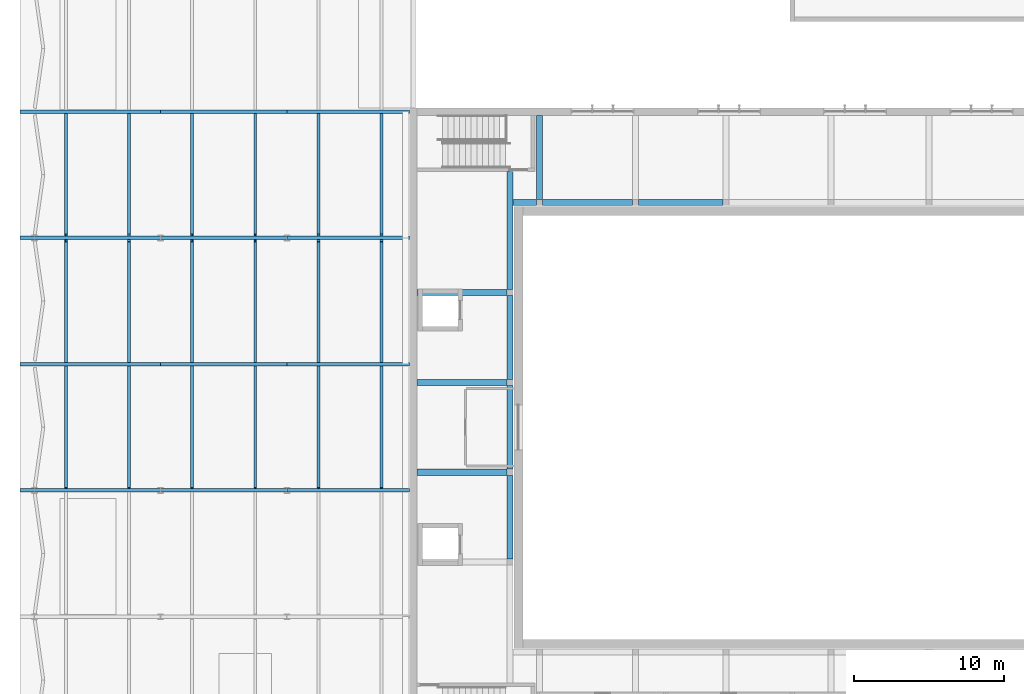
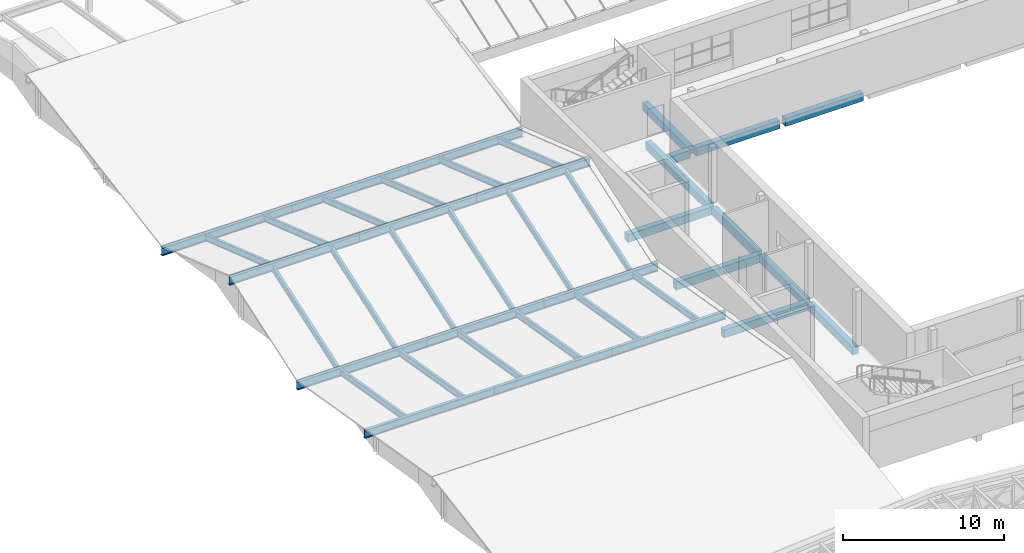
# One storey, part 24 of 60: 41 beams.
"""IFC4 building model written with IfcOpenShell, lengths in metres."""

import ifcopenshell
import ifcopenshell.guid

model = None  # the IFC model being written
_history = None  # IfcOwnerHistory: only IFC2X3 demands one
_inside = {}  # id of a spatial element -> (the spatial element, [elements in it])
_under = {}  # id of a project, library or spatial element -> (it, [spatial elements below it])
_declared = {}  # id of a project -> (the project, [libraries it declares])
_typed = {}  # id of a type object -> (the type object, [elements of that type])
_made_of = {}  # id of a material, layer set ... -> (it, [elements and type objects made of it])


def new_model(schema):
    """Start an empty IFC model of exactly this schema.

    Asked for "IFC4X3", IfcOpenShell would pick the latest addendum, in which some entities
    have other attributes; the version numbers below select the first issue.
    IFC2X3 requires an IfcOwnerHistory on every rooted entity: one is made here for all.
    """
    global model, _history
    if schema == "IFC4X3":
        model = ifcopenshell.file(schema_version=(4, 3, 0, 0))
    else:
        model = ifcopenshell.file(schema=schema)
    _inside.clear()
    _under.clear()
    _declared.clear()
    _typed.clear()
    _made_of.clear()
    _history = None
    if model.schema == "IFC2X3":
        org = make("IfcOrganization", Name="unknown")
        user = make(
            "IfcPersonAndOrganization",
            ThePerson=make("IfcPerson", FamilyName="unknown"),
            TheOrganization=org,
        )
        app = make(
            "IfcApplication",
            ApplicationDeveloper=org,
            Version="unknown",
            ApplicationFullName="unknown",
            ApplicationIdentifier="unknown",
        )
        _history = make(
            "IfcOwnerHistory",
            OwningUser=user,
            OwningApplication=app,
            ChangeAction="ADDED",
            CreationDate=0,
        )
    return model


def make(cls, **values):
    """One entity of the class cls with the attributes given. An attribute that is None is left unset."""
    return model.create_entity(
        cls, **{name: value for name, value in values.items() if value is not None}
    )


def rooted(cls, **values):
    """An entity with a GlobalId (a new one), such as an element, a storey or a relation."""
    return make(cls, GlobalId=ifcopenshell.guid.new(), OwnerHistory=_history, **values)


def si_unit(unit_type, name, prefix=None):
    """IfcSIUnit, for example si_unit("LENGTHUNIT", "METRE", prefix="MILLI")."""
    return make("IfcSIUnit", UnitType=unit_type, Prefix=prefix, Name=name)


def assignment(units):
    """IfcUnitAssignment: the units of a project."""
    return None if units is None else make("IfcUnitAssignment", Units=units)


def point(xyz):
    """IfcCartesianPoint."""
    return None if xyz is None else make("IfcCartesianPoint", Coordinates=xyz)


def direction(xyz):
    """IfcDirection."""
    return None if xyz is None else make("IfcDirection", DirectionRatios=xyz)


def frame(location, z_axis=None, x_axis=None):
    """IfcAxis2Placement3D, a coordinate frame: its origin and axes. An axis left out is left unset."""
    return make(
        "IfcAxis2Placement3D",
        Location=point(location),
        Axis=direction(z_axis),
        RefDirection=direction(x_axis),
    )


def frame_2d(location, x_axis=None):
    """IfcAxis2Placement2D, a coordinate frame in the plane: its origin and x axis."""
    return make(
        "IfcAxis2Placement2D", Location=point(location), RefDirection=direction(x_axis)
    )


def origin():
    """The frame at (0, 0, 0) with its axes left unset."""
    return frame((0.0, 0.0, 0.0))


def origin_2d():
    """The frame at (0, 0) in the plane with its x axis left unset."""
    return frame_2d((0.0, 0.0))


def place(relative_to, where):
    """IfcLocalPlacement: puts the frame where relative to a parent placement (None: the world)."""
    return make(
        "IfcLocalPlacement", PlacementRelTo=relative_to, RelativePlacement=where
    )


def context(
    kind, dimensions, precision=None, world=None, true_north=None, identifier=None
):
    """IfcGeometricRepresentationContext, for example the 3D "Model" context."""
    return make(
        "IfcGeometricRepresentationContext",
        ContextIdentifier=identifier,
        ContextType=kind,
        CoordinateSpaceDimension=dimensions,
        Precision=precision,
        WorldCoordinateSystem=world,
        TrueNorth=true_north,
    )


def subcontext(parent, identifier, kind, view, scale=None):
    """IfcGeometricRepresentationSubContext, for example "Body" below "Model"."""
    return make(
        "IfcGeometricRepresentationSubContext",
        ContextIdentifier=identifier,
        ContextType=kind,
        ParentContext=parent,
        TargetScale=scale,
        TargetView=view,
    )


def project(units=None, contexts=None):
    """IfcProject with its units and contexts."""
    return rooted(
        "IfcProject",
        Name="project",
        RepresentationContexts=contexts,
        UnitsInContext=assignment(units),
    )


def spatial(cls, under=None, at=None, **own):
    """A site, building, storey or space (cls), placed at a placement, below another one or the project."""
    s = rooted(cls, ObjectPlacement=at, **own)
    if under is not None:
        _under.setdefault(under.id(), (under, []))[1].append(s)
    return s


def profile(cls, at=None, kind="AREA", **sizes):
    """A parametric profile (cls). Its sizes go by their IFC names, for example OverallWidth=200.0."""
    return make(cls, ProfileType=kind, Position=at, **sizes)


def rectangle(**sizes):
    """IfcRectangleProfileDef."""
    return profile("IfcRectangleProfileDef", **sizes)


def i_section(**sizes):
    """IfcIShapeProfileDef."""
    return profile("IfcIShapeProfileDef", **sizes)


def extrude(swept, where, along, depth):
    """IfcExtrudedAreaSolid: the profile swept, set in the frame where, extruded along a direction by depth."""
    return make(
        "IfcExtrudedAreaSolid",
        SweptArea=swept,
        Position=where,
        ExtrudedDirection=direction(along),
        Depth=depth,
    )


def shape(context_of_items, identifier, shape_type, items):
    """IfcShapeRepresentation: the items that make up one representation, for example the "Body"."""
    return make(
        "IfcShapeRepresentation",
        ContextOfItems=context_of_items,
        RepresentationIdentifier=identifier,
        RepresentationType=shape_type,
        Items=items,
    )


def material(Name=None, Category=None):
    """IfcMaterial."""
    return make("IfcMaterial", Name=Name, Category=Category)


def material_profile(
    of_material, cross_section, Name=None, Category=None, Priority=None
):
    """IfcMaterialProfile: a cross section and its material."""
    return make(
        "IfcMaterialProfile",
        Name=Name,
        Material=of_material,
        Profile=cross_section,
        Priority=Priority,
        Category=Category,
    )


def profile_set(profiles, Name=None, composite=None):
    """IfcMaterialProfileSet."""
    return make(
        "IfcMaterialProfileSet",
        Name=Name,
        MaterialProfiles=profiles,
        CompositeProfile=composite,
    )


def made_of(thing, what):
    """Note that an element or type object is made of a material, layer set ...; save() writes the relation."""
    if what is not None:
        _made_of.setdefault(what.id(), (what, []))[1].append(thing)
    return thing


def type_object(cls, material=None, **own):
    """A type object (cls), such as IfcWallType, which elements share."""
    return made_of(rooted(cls, **own), material)


def element(
    cls,
    number,
    at=None,
    inside=None,
    cuts=None,
    type_object=None,
    material=None,
    context=None,
    identifier="Body",
    shape_type=None,
    held_by="IfcProductDefinitionShape",
    body=None,
    shapes=None,
    **own,
):
    """One element of the class cls, such as IfcWall. Its Tag is "e" and its number.

    at: its placement. inside: the storey or other place that contains it. cuts: it is an
    opening in that element (IfcRelVoidsElement). A single representation is given by context,
    identifier, shape_type and body (its items); several are given by shapes. held_by: the class
    of the entity that holds the representations. save() writes the other relations.
    """
    e = rooted(cls, Tag="e%d" % number, ObjectPlacement=at, **own)
    if body is not None:
        shapes = [shape(context, identifier, shape_type, body)]
    if shapes is not None:
        e.Representation = make(held_by, Representations=shapes)
    if inside is not None:
        _inside.setdefault(inside.id(), (inside, []))[1].append(e)
    if cuts is not None:
        rooted(
            "IfcRelVoidsElement", RelatingBuildingElement=cuts, RelatedOpeningElement=e
        )
    if type_object is not None:
        _typed.setdefault(type_object.id(), (type_object, []))[1].append(e)
    return made_of(e, material)


def aggregate(whole, parts):
    """IfcRelAggregates: a whole, such as a stair, and the parts it consists of."""
    return rooted("IfcRelAggregates", RelatingObject=whole, RelatedObjects=parts)


def save(model, path):
    """Write the relations noted so far, then the file.

    IfcRelAggregates (storeys below a building ...), IfcRelContainedInSpatialStructure (elements
    in a storey), IfcRelDefinesByType, IfcRelAssociatesMaterial and IfcRelDeclares: one each for
    every whole, place, type object, material and project.
    """
    for whole, parts in _under.values():
        aggregate(whole, parts)
    for where, things in _inside.values():
        rooted(
            "IfcRelContainedInSpatialStructure",
            RelatedElements=things,
            RelatingStructure=where,
        )
    for kind, things in _typed.values():
        rooted("IfcRelDefinesByType", RelatedObjects=things, RelatingType=kind)
    for what, things in _made_of.values():
        rooted("IfcRelAssociatesMaterial", RelatedObjects=things, RelatingMaterial=what)
    for by, libraries in _declared.values():
        rooted("IfcRelDeclares", RelatingContext=by, RelatedDefinitions=libraries)
    model.write(path)


model = new_model("IFC4")

# Units and contexts
model_context = context("Model", 3, precision=1e-05, world=origin(), true_north=direction((0.0, 1.0)))
body_context = subcontext(model_context, "Body", "Model", "MODEL_VIEW")
ifc_project = project(units=[si_unit("LENGTHUNIT", "METRE"), si_unit("AREAUNIT", "SQUARE_METRE"), si_unit("VOLUMEUNIT", "CUBIC_METRE"), si_unit("PLANEANGLEUNIT", "RADIAN"), si_unit("MASSUNIT", "GRAM", prefix="KILO")], contexts=[model_context])

# Site, building, storey
site_placement = place(None, origin())
site = spatial("IfcSite", under=ifc_project, at=site_placement, CompositionType="ELEMENT")
building_placement = place(site_placement, origin())
building = spatial("IfcBuilding", under=site, at=building_placement, Name="Ljudholm Concert House", CompositionType="ELEMENT")
storey_placement = place(building_placement, frame((0.0, 0.0, 15.0)))
storey = spatial("IfcBuildingStorey", under=building, at=storey_placement, Name="L03", CompositionType="ELEMENT", Elevation=15.0)

# Beams
ifc_material_1 = material(Name="Concrete 6,500 psi", Category="concrete")
ifc_material_profile_1 = material_profile(ifc_material_1, rectangle(XDim=0.39990234375, YDim=0.60009765625, at=origin_2d()), Name="RC BEAM 400x600")
ifc_profile_set_1 = profile_set([ifc_material_profile_1], Name="Concrete 6,500 psi")
beam_type_1 = type_object("IfcBeamType", Name="RC BEAM 400x600", PredefinedType="BEAM", material=ifc_profile_set_1)
beam_1_placement = place(storey_placement, frame((37.800048828125, 90.35009765625, -0.550048828125), z_axis=(1.0, 0.0, 0.0), x_axis=(0.0, 1.0, 0.0)))
element("IfcBeam", 1, at=beam_1_placement, inside=storey, type_object=beam_type_1, Name="Ring beam", PredefinedType="BEAM", context=body_context, shape_type="SweptSolid", body=[
    extrude(rectangle(XDim=0.39990234375, YDim=0.60009765625, at=origin_2d()), origin(), (0.0, 0.0, 1.0), 6.0),
])
beam_2_placement = place(storey_placement, frame((44.199951171875, 90.35009765625, -0.550048828125), z_axis=(1.0, 0.0, 0.0), x_axis=(0.0, 1.0, 0.0)))
element("IfcBeam", 2, at=beam_2_placement, inside=storey, type_object=beam_type_1, Name="Ring beam", PredefinedType="BEAM", context=body_context, shape_type="SweptSolid", body=[
    extrude(rectangle(XDim=0.39990234375, YDim=0.60009765625, at=origin_2d()), origin(), (0.0, 0.0, 1.0), 5.60009765625),
])
beam_3_placement = place(storey_placement, frame((35.64990234375, 66.6298828125, -0.550048828125), z_axis=(0.0, 1.0, 0.0), x_axis=(-1.0, 0.0, 0.0)))
element("IfcBeam", 3, at=beam_3_placement, inside=storey, type_object=beam_type_1, Name="Ring beam", PredefinedType="BEAM", context=body_context, shape_type="SweptSolid", body=[
    extrude(rectangle(XDim=0.39990234375, YDim=0.60009765625, at=origin_2d()), origin(), (0.0, 0.0, 1.0), 5.580078125),
])
for number, where, z_axis, x_axis, name in (
    (4, (35.64990234375, 72.610107421875, -0.550048828125), (0.0, 1.0, 0.0), (-1.0, 0.0, 0.0), "Ring beam"),
    (5, (35.64990234375, 78.590087890625, -0.550048828125), (0.0, 1.0, 0.0), (-1.0, 0.0, 0.0), "Ring beam"),
):
    element("IfcBeam", number, at=place(storey_placement, frame(where, z_axis=z_axis, x_axis=x_axis)), inside=storey, type_object=beam_type_1, Name=name, PredefinedType="BEAM", context=body_context, shape_type="SweptSolid", body=[
        extrude(rectangle(XDim=0.39990234375, YDim=0.60009765625, at=origin_2d()), origin(), (0.0, 0.0, 1.0), 5.579833984375),
    ])
beam_4_placement = place(storey_placement, frame((37.60009765625, 90.550048828125, -0.550048828125), z_axis=(0.0, 1.0, 0.0), x_axis=(-1.0, 0.0, 0.0)))
element("IfcBeam", 6, at=beam_4_placement, inside=storey, type_object=beam_type_1, Name="Ring cross beam", PredefinedType="BEAM", context=body_context, shape_type="SweptSolid", body=[
    extrude(rectangle(XDim=0.39990234375, YDim=0.60009765625, at=origin_2d()), origin(), (0.0, 0.0, 1.0), 5.599853515625),
])
for number, where, z_axis, x_axis, name in (
    (7, (35.449951171875, 72.409912109375, -0.550048828125), (-1.0, 0.0, 0.0), (0.0, -1.0, 0.0), "Ring cross beam"),
    (8, (35.449951171875, 78.389892578125, -0.550048828125), (-1.0, 0.0, 0.0), (0.0, -1.0, 0.0), "Ring cross beam"),
    (9, (35.449951171875, 84.3701171875, -0.550048828125), (-1.0, 0.0, 0.0), (0.0, -1.0, 0.0), "Ring cross beam"),
):
    element("IfcBeam", number, at=place(storey_placement, frame(where, z_axis=z_axis, x_axis=x_axis)), inside=storey, type_object=beam_type_1, Name=name, PredefinedType="BEAM", context=body_context, shape_type="SweptSolid", body=[
        extrude(rectangle(XDim=0.39990234375, YDim=0.60009765625, at=origin_2d()), origin(), (0.0, 0.0, 1.0), 6.0),
    ])
beam_5_placement = place(storey_placement, frame((35.85009765625, 90.35009765625, -0.550048828125), z_axis=(1.0, 0.0, 0.0), x_axis=(0.0, 1.0, 0.0)))
element("IfcBeam", 10, at=beam_5_placement, inside=storey, type_object=beam_type_1, Name="Ring beam", PredefinedType="BEAM", context=body_context, shape_type="SweptSolid", body=[
    extrude(rectangle(XDim=0.39990234375, YDim=0.60009765625, at=origin_2d()), origin(), (0.0, 0.0, 1.0), 1.5498046875),
])
beam_6_placement = place(storey_placement, frame((35.64990234375, 84.570068359375, -0.550048828125), z_axis=(0.0, 1.0, 0.0), x_axis=(-1.0, 0.0, 0.0)))
element("IfcBeam", 11, at=beam_6_placement, inside=storey, type_object=beam_type_1, Name="Ring beam", PredefinedType="BEAM", context=body_context, shape_type="SweptSolid", body=[
    extrude(rectangle(XDim=0.39990234375, YDim=0.60009765625, at=origin_2d()), origin(), (0.0, 0.0, 1.0), 7.829833984375),
])
ifc_material_2 = material(Name="Steel ASTM A992", Category="steel")
ifc_material_profile_2 = material_profile(ifc_material_2, i_section(OverallWidth=0.1904296875, OverallDepth=0.457275390625, WebThickness=0.009033203125, FlangeThickness=0.014404296875, FilletRadius=0.01025390625, at=origin_2d()), Name="W18X50")
ifc_profile_set_2 = profile_set([ifc_material_profile_2], Name="Steel ASTM A992")
beam_type_2 = type_object("IfcBeamType", Name="STEEL BEAM W18X50", PredefinedType="BEAM", material=ifc_profile_set_2)
for number, where, z_axis, x_axis, name in (
    (12, (6.10009765625, 71.352783203125, 1.806640625), (0.0, 0.985739432849, -0.168278847532), (-1.0, 0.0, 0.0), "Roof rafter"),
    (13, (10.300048828125, 71.352783203125, 1.806640625), (0.0, 0.985739432849, -0.168278847532), (-1.0, 0.0, 0.0), "Roof rafter"),
    (14, (14.5, 71.352783203125, 1.806640625), (0.0, 0.985739432849, -0.168278847532), (-1.0, 0.0, 0.0), "Roof rafter"),
    (15, (18.699951171875, 71.352783203125, 1.806640625), (0.0, 0.985739432849, -0.168278847532), (-1.0, 0.0, 0.0), "Roof rafter"),
    (16, (22.89990234375, 71.352783203125, 1.806640625), (0.0, 0.985739432849, -0.168278847532), (-1.0, 0.0, 0.0), "Roof rafter"),
    (17, (27.10009765625, 71.352783203125, 1.806640625), (0.0, 0.985739432849, -0.168278847532), (-1.0, 0.0, 0.0), "Roof rafter"),
):
    element("IfcBeam", number, at=place(storey_placement, frame(where, z_axis=z_axis, x_axis=x_axis)), inside=storey, type_object=beam_type_2, Name=name, PredefinedType="BEAM", context=body_context, shape_type="SweptSolid", body=[
        extrude(i_section(OverallWidth=0.1904296875, OverallDepth=0.457275390625, WebThickness=0.009033203125, FlangeThickness=0.014404296875, FilletRadius=0.01025390625, at=origin_2d()), origin(), (0.0, 0.0, 1.0), 8.211669921875),
    ])
for number, where, z_axis, x_axis, name in (
    (18, (6.10009765625, 79.7880859375, 0.448974609375), (0.0, 0.946360379613, 0.323113032698), (-1.0, 0.0, 0.0), "Roof rafter"),
    (19, (10.300048828125, 79.7880859375, 0.448974609375), (0.0, 0.946360379613, 0.323113032698), (-1.0, 0.0, 0.0), "Roof rafter"),
    (20, (14.5, 79.7880859375, 0.448974609375), (0.0, 0.946360379613, 0.323113032698), (-1.0, 0.0, 0.0), "Roof rafter"),
    (21, (18.699951171875, 79.7880859375, 0.448974609375), (0.0, 0.946360379613, 0.323113032698), (-1.0, 0.0, 0.0), "Roof rafter"),
    (22, (22.89990234375, 79.7880859375, 0.448974609375), (0.0, 0.946360379613, 0.323113032698), (-1.0, 0.0, 0.0), "Roof rafter"),
    (23, (27.10009765625, 79.7880859375, 0.448974609375), (0.0, 0.946360379613, 0.323113032698), (-1.0, 0.0, 0.0), "Roof rafter"),
    (24, (6.10009765625, 88.188232421875, 3.1884765625), (0.0, 0.946360379613, -0.323113032698), (-1.0, 0.0, 0.0), "Roof rafter"),
    (25, (10.300048828125, 88.188232421875, 3.1884765625), (0.0, 0.946360379613, -0.323113032698), (-1.0, 0.0, 0.0), "Roof rafter"),
    (26, (14.5, 88.188232421875, 3.1884765625), (0.0, 0.946360379613, -0.323113032698), (-1.0, 0.0, 0.0), "Roof rafter"),
    (27, (18.699951171875, 88.188232421875, 3.1884765625), (0.0, 0.946360379613, -0.323113032698), (-1.0, 0.0, 0.0), "Roof rafter"),
    (28, (22.89990234375, 88.188232421875, 3.1884765625), (0.0, 0.946360379613, -0.323113032698), (-1.0, 0.0, 0.0), "Roof rafter"),
    (29, (27.10009765625, 88.188232421875, 3.1884765625), (0.0, 0.946360379613, -0.323113032698), (-1.0, 0.0, 0.0), "Roof rafter"),
):
    element("IfcBeam", number, at=place(storey_placement, frame(where, z_axis=z_axis, x_axis=x_axis)), inside=storey, type_object=beam_type_2, Name=name, PredefinedType="BEAM", context=body_context, shape_type="SweptSolid", body=[
        extrude(i_section(OverallWidth=0.1904296875, OverallDepth=0.457275390625, WebThickness=0.009033203125, FlangeThickness=0.014404296875, FilletRadius=0.01025390625, at=origin_2d()), origin(), (0.0, 0.0, 1.0), 8.478515625),
    ])
ifc_material_3 = material(Name="Steel ASTM A992", Category="steel")
ifc_material_profile_3 = material_profile(ifc_material_3, i_section(OverallWidth=0.22900390625, OverallDepth=0.612060546875, WebThickness=0.011962890625, FlangeThickness=0.01953125, FilletRadius=0.0126953125, at=origin_2d()), Name="W24X84")
ifc_profile_set_3 = profile_set([ifc_material_profile_3], Name="Steel ASTM A992")
beam_type_3 = type_object("IfcBeamType", Name="STEEL BEAM W24X84", PredefinedType="BEAM", material=ifc_profile_set_3)
beam_7_placement = place(storey_placement, frame((3.050048828125, 71.199951171875, 1.758544921875), z_axis=(1.0, 0.0, 0.0), x_axis=(0.0, 1.0, 0.0)))
element("IfcBeam", 30, at=beam_7_placement, inside=storey, type_object=beam_type_3, Name="Roof girder", PredefinedType="BEAM", context=body_context, shape_type="SweptSolid", body=[
    extrude(i_section(OverallWidth=0.22900390625, OverallDepth=0.612060546875, WebThickness=0.011962890625, FlangeThickness=0.01953125, FilletRadius=0.0126953125, at=origin_2d()), origin(), (0.0, 0.0, 1.0), 9.349853515625),
])
beam_8_placement = place(storey_placement, frame((12.39990234375, 71.199951171875, 1.758544921875), z_axis=(1.0, 0.0, 0.0), x_axis=(0.0, 1.0, 0.0)))
element("IfcBeam", 31, at=beam_8_placement, inside=storey, type_object=beam_type_3, Name="Roof girder", PredefinedType="BEAM", context=body_context, shape_type="SweptSolid", body=[
    extrude(i_section(OverallWidth=0.22900390625, OverallDepth=0.612060546875, WebThickness=0.011962890625, FlangeThickness=0.01953125, FilletRadius=0.0126953125, at=origin_2d()), origin(), (0.0, 0.0, 1.0), 8.400146484375),
])
beam_9_placement = place(storey_placement, frame((20.800048828125, 71.199951171875, 1.758544921875), z_axis=(1.0, 0.0, 0.0), x_axis=(0.0, 1.0, 0.0)))
element("IfcBeam", 32, at=beam_9_placement, inside=storey, type_object=beam_type_3, Name="Roof girder", PredefinedType="BEAM", context=body_context, shape_type="SweptSolid", body=[
    extrude(i_section(OverallWidth=0.22900390625, OverallDepth=0.612060546875, WebThickness=0.011962890625, FlangeThickness=0.01953125, FilletRadius=0.0126953125, at=origin_2d()), origin(), (0.0, 0.0, 1.0), 8.14990234375),
])
beam_10_placement = place(storey_placement, frame((3.050048828125, 79.60009765625, 0.3203125), z_axis=(1.0, 0.0, 0.0), x_axis=(0.0, 1.0, 0.0)))
element("IfcBeam", 33, at=beam_10_placement, inside=storey, type_object=beam_type_3, Name="Roof girder", PredefinedType="BEAM", context=body_context, shape_type="SweptSolid", body=[
    extrude(i_section(OverallWidth=0.22900390625, OverallDepth=0.612060546875, WebThickness=0.011962890625, FlangeThickness=0.01953125, FilletRadius=0.0126953125, at=origin_2d()), origin(), (0.0, 0.0, 1.0), 9.349853515625),
])
beam_11_placement = place(storey_placement, frame((12.39990234375, 79.60009765625, 0.3203125), z_axis=(1.0, 0.0, 0.0), x_axis=(0.0, 1.0, 0.0)))
element("IfcBeam", 34, at=beam_11_placement, inside=storey, type_object=beam_type_3, Name="Roof girder", PredefinedType="BEAM", context=body_context, shape_type="SweptSolid", body=[
    extrude(i_section(OverallWidth=0.22900390625, OverallDepth=0.612060546875, WebThickness=0.011962890625, FlangeThickness=0.01953125, FilletRadius=0.0126953125, at=origin_2d()), origin(), (0.0, 0.0, 1.0), 8.400146484375),
])
beam_12_placement = place(storey_placement, frame((20.800048828125, 79.60009765625, 0.3203125), z_axis=(1.0, 0.0, 0.0), x_axis=(0.0, 1.0, 0.0)))
element("IfcBeam", 35, at=beam_12_placement, inside=storey, type_object=beam_type_3, Name="Roof girder", PredefinedType="BEAM", context=body_context, shape_type="SweptSolid", body=[
    extrude(i_section(OverallWidth=0.22900390625, OverallDepth=0.612060546875, WebThickness=0.011962890625, FlangeThickness=0.01953125, FilletRadius=0.0126953125, at=origin_2d()), origin(), (0.0, 0.0, 1.0), 8.14990234375),
])
beam_13_placement = place(storey_placement, frame((3.050048828125, 88.0, 3.188232421875), z_axis=(1.0, 0.0, 0.0), x_axis=(0.0, 1.0, 0.0)))
element("IfcBeam", 36, at=beam_13_placement, inside=storey, type_object=beam_type_3, Name="Roof girder", PredefinedType="BEAM", context=body_context, shape_type="SweptSolid", body=[
    extrude(i_section(OverallWidth=0.22900390625, OverallDepth=0.612060546875, WebThickness=0.011962890625, FlangeThickness=0.01953125, FilletRadius=0.0126953125, at=origin_2d()), origin(), (0.0, 0.0, 1.0), 9.349853515625),
])
beam_14_placement = place(storey_placement, frame((12.39990234375, 88.0, 3.188232421875), z_axis=(1.0, 0.0, 0.0), x_axis=(0.0, 1.0, 0.0)))
element("IfcBeam", 37, at=beam_14_placement, inside=storey, type_object=beam_type_3, Name="Roof girder", PredefinedType="BEAM", context=body_context, shape_type="SweptSolid", body=[
    extrude(i_section(OverallWidth=0.22900390625, OverallDepth=0.612060546875, WebThickness=0.011962890625, FlangeThickness=0.01953125, FilletRadius=0.0126953125, at=origin_2d()), origin(), (0.0, 0.0, 1.0), 8.400146484375),
])
beam_15_placement = place(storey_placement, frame((20.800048828125, 88.0, 3.188232421875), z_axis=(1.0, 0.0, 0.0), x_axis=(0.0, 1.0, 0.0)))
element("IfcBeam", 38, at=beam_15_placement, inside=storey, type_object=beam_type_3, Name="Roof girder", PredefinedType="BEAM", context=body_context, shape_type="SweptSolid", body=[
    extrude(i_section(OverallWidth=0.22900390625, OverallDepth=0.612060546875, WebThickness=0.011962890625, FlangeThickness=0.01953125, FilletRadius=0.0126953125, at=origin_2d()), origin(), (0.0, 0.0, 1.0), 8.14990234375),
])
beam_16_placement = place(storey_placement, frame((3.050048828125, 96.39990234375, 0.3203125), z_axis=(1.0, 0.0, 0.0), x_axis=(0.0, 1.0, 0.0)))
element("IfcBeam", 39, at=beam_16_placement, inside=storey, type_object=beam_type_3, Name="Roof girder", PredefinedType="BEAM", context=body_context, shape_type="SweptSolid", body=[
    extrude(i_section(OverallWidth=0.22900390625, OverallDepth=0.612060546875, WebThickness=0.011962890625, FlangeThickness=0.01953125, FilletRadius=0.0126953125, at=origin_2d()), origin(), (0.0, 0.0, 1.0), 9.349853515625),
])
beam_17_placement = place(storey_placement, frame((12.39990234375, 96.39990234375, 0.3203125), z_axis=(1.0, 0.0, 0.0), x_axis=(0.0, 1.0, 0.0)))
element("IfcBeam", 40, at=beam_17_placement, inside=storey, type_object=beam_type_3, Name="Roof girder", PredefinedType="BEAM", context=body_context, shape_type="SweptSolid", body=[
    extrude(i_section(OverallWidth=0.22900390625, OverallDepth=0.612060546875, WebThickness=0.011962890625, FlangeThickness=0.01953125, FilletRadius=0.0126953125, at=origin_2d()), origin(), (0.0, 0.0, 1.0), 8.400146484375),
])
beam_18_placement = place(storey_placement, frame((20.800048828125, 96.39990234375, 0.3203125), z_axis=(1.0, 0.0, 0.0), x_axis=(0.0, 1.0, 0.0)))
element("IfcBeam", 41, at=beam_18_placement, inside=storey, type_object=beam_type_3, Name="Roof girder", PredefinedType="BEAM", context=body_context, shape_type="SweptSolid", body=[
    extrude(i_section(OverallWidth=0.22900390625, OverallDepth=0.612060546875, WebThickness=0.011962890625, FlangeThickness=0.01953125, FilletRadius=0.0126953125, at=origin_2d()), origin(), (0.0, 0.0, 1.0), 8.14990234375),
])

save(model, "model.ifc")
